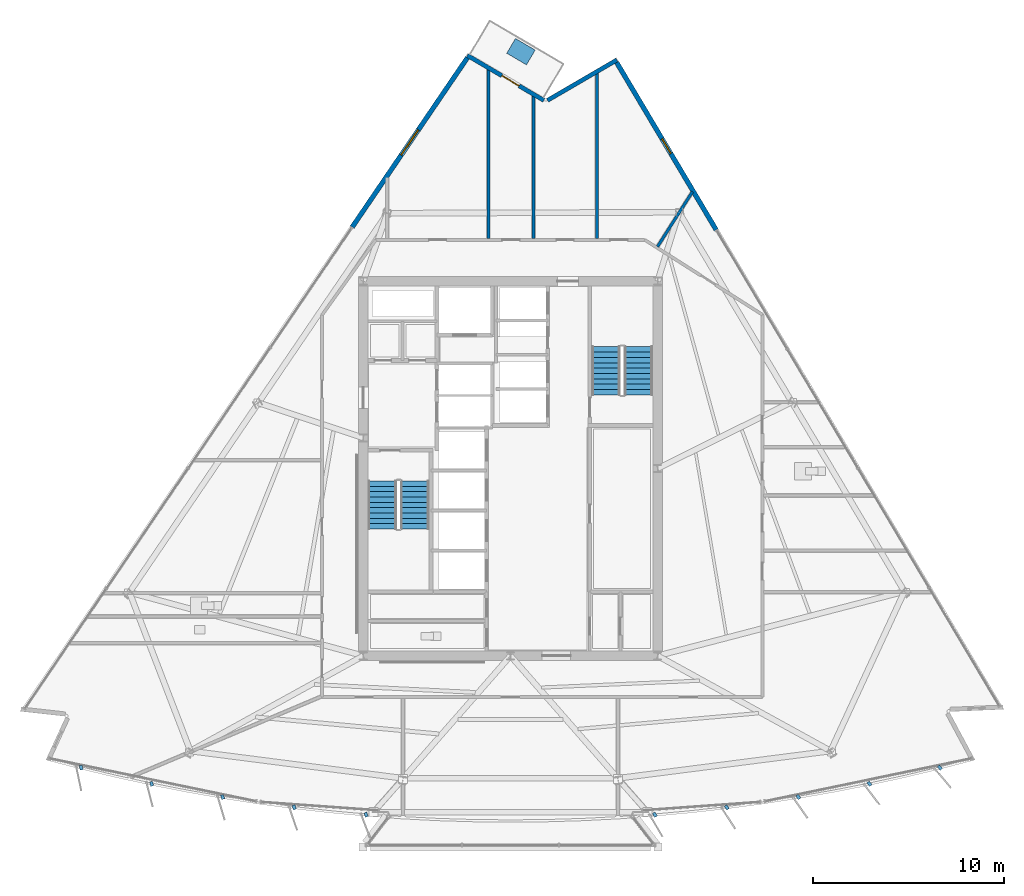
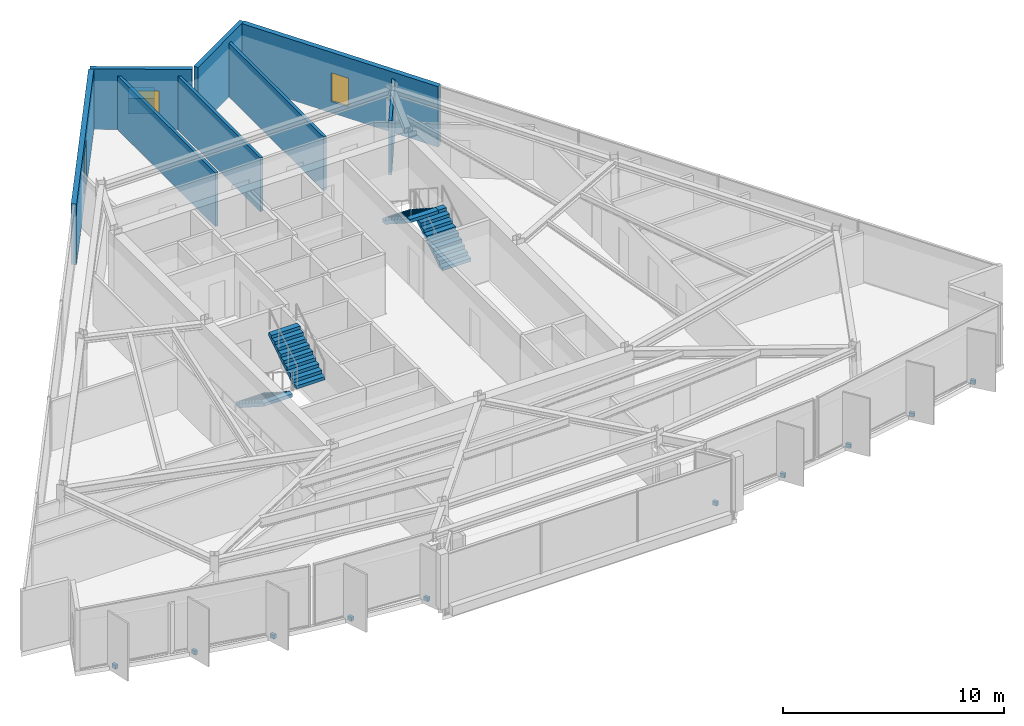
# One storey, part 10 of 14: 11 discrete accessories, 8 walls, 4 stair flights, 2 windows, 1 door, 3 openings, 2 elements without a shape of their own.
"""IFC4 building model written with IfcOpenShell, lengths in metres."""

from ifc_helpers import new_model, si_unit, direction, frame, frame_2d, origin, origin_2d, place, context, subcontext, project, spatial, polyline, rectangle, outline, extrude, material, layer, layer_set, type_object, element, fill, aggregate, save


model = new_model("IFC4")

# Units and contexts
model_context = context("Model", 3, precision=1e-05, world=origin(), true_north=direction((0.0, 1.0)))
body_context = subcontext(model_context, "Body", "Model", "MODEL_VIEW")
ifc_project = project(units=[si_unit("LENGTHUNIT", "METRE"), si_unit("AREAUNIT", "SQUARE_METRE"), si_unit("VOLUMEUNIT", "CUBIC_METRE"), si_unit("PLANEANGLEUNIT", "RADIAN"), si_unit("MASSUNIT", "GRAM", prefix="KILO")], contexts=[model_context])

# Site, building, storey
site_placement = place(None, origin())
site = spatial("IfcSite", under=ifc_project, at=site_placement, CompositionType="ELEMENT")
building_placement = place(site_placement, origin())
building = spatial("IfcBuilding", under=site, at=building_placement, Name="Savorim Split Tower", CompositionType="ELEMENT")
storey_placement = place(building_placement, frame((0.0, 0.0, 205.5)))
storey = spatial("IfcBuildingStorey", under=building, at=storey_placement, Name="L54", CompositionType="ELEMENT", Elevation=205.5)

# Wall
ifc_material_1 = material(Name="Precast concrete C40/50", Category="concrete")
ifc_layer_1 = layer(ifc_material_1, 0.219970703125)
ifc_layer_set_1 = layer_set([ifc_layer_1], Name="WAL-EXT-CRN220")
wall_type_1 = type_object("IfcWallType", Name="WAL-EXT-CRN220", PredefinedType="SOLIDWALL", material=ifc_layer_set_1)
wall_1_placement = place(storey_placement, frame((1.935302734375, 19.656494140625, 0.0), z_axis=(0.0, 0.0, 1.0), x_axis=(0.863987356641, 0.503513502862, 0.0)))
element("IfcWall", 1, at=wall_1_placement, inside=storey, type_object=wall_type_1, Name="L54 Notched Corner Facade Wall NE1", PredefinedType="SOLIDWALL", context=body_context, shape_type="SweptSolid", body=[
    extrude(rectangle(XDim=4.203857421875, YDim=0.219970703125, at=frame_2d((2.10205078125, 0.0))), origin(), (0.0, 0.0, 1.0), 3.35009765625),
])

# Wall, opening, door
wall_2_placement = place(storey_placement, frame((-2.25927734375, 22.01025390625, 0.0), z_axis=(0.0, 0.0, 1.0), x_axis=(0.862123324624, -0.506698503193, 0.0)))
wall_2 = element("IfcWall", 2, at=wall_2_placement, inside=storey, type_object=wall_type_1, Name="L54 Notched Corner Facade Wall N", PredefinedType="SOLIDWALL", context=body_context, shape_type="SweptSolid", body=[
    extrude(rectangle(XDim=4.644775390625, YDim=0.219970703125, at=frame_2d((2.322265625, 0.0))), origin(), (0.0, 0.0, 1.0), 3.35009765625),
])
opening_1_placement = place(wall_2_placement, frame((2.097412109375, 0.0, 0.0)))
opening_1 = element("IfcOpeningElement", 3, at=opening_1_placement, cuts=wall_2, Name="Opening DB-01", PredefinedType="OPENING", context=body_context, shape_type="SweptSolid", body=[
    extrude(rectangle(XDim=1.050048828125, YDim=2.14990234375, at=frame_2d((0.52490234375, 1.074951171875))), frame((0.0, 0.119873046875, 0.0), z_axis=(0.0, -1.0, 0.0), x_axis=(1.0, 0.0, 0.0)), (0.0, 0.0, 1.0), 0.239990234375),
])
ifc_material_2 = material(Name="Charcoal Anodised Aluminium", Category="aluminium")
door_type = type_object("IfcDoorType", Name="DOR-BAL-1050", OperationType="NOTDEFINED", PredefinedType="DOOR", material=ifc_material_2)
door_placement = place(opening_1_placement, origin())
door = element("IfcDoor", 4, at=door_placement, inside=storey, type_object=door_type, Name="DOR-L54-TBAL-N - L54 Planted Tree Balcony Door N", OperationType="SINGLE_SWING_LEFT", OverallHeight=2.14990234375, OverallWidth=1.050048828125, PredefinedType="DOOR", context=body_context, shape_type="SweptSolid", body=[
    extrude(rectangle(XDim=1.050048828125, YDim=2.14990234375, at=frame_2d((0.52490234375, 1.074951171875))), frame((0.0, 0.02490234375, 0.0), z_axis=(0.0, -1.0, 0.0), x_axis=(1.0, 0.0, 0.0)), (0.0, 0.0, 1.0), 0.050048828125),
])
fill(opening_1, door)

# Wall, opening, window
ifc_layer_2 = layer(ifc_material_1, 0.25)
ifc_layer_set_2 = layer_set([ifc_layer_2], Name="WAL-EXT-SPN250")
wall_type_2 = type_object("IfcWallType", Name="WAL-EXT-SPN250", PredefinedType="SOLIDWALL", material=ifc_layer_set_2)
wall_3_placement = place(storey_placement, frame((5.55078125, 21.646728515625, 0.0), z_axis=(0.0, 0.0, 1.0), x_axis=(0.511094988088, -0.859524236512, 0.0)))
wall_3 = element("IfcWall", 5, at=wall_3_placement, inside=storey, type_object=wall_type_2, Name="L54 East Operable Window Pier", PredefinedType="SOLIDWALL", context=body_context, shape_type="SweptSolid", body=[
    extrude(rectangle(XDim=10.199951171875, YDim=0.25, at=frame_2d((5.10009765625, 0.0))), origin(), (0.0, 0.0, 1.0), 3.35009765625),
])
opening_2_placement = place(wall_3_placement, frame((4.64990234375, 0.0, 0.6201171875)))
opening_2 = element("IfcOpeningElement", 6, at=opening_2_placement, cuts=wall_3, Name="Opening WN-10", PredefinedType="OPENING", context=body_context, shape_type="SweptSolid", body=[
    extrude(rectangle(XDim=0.89990234375, YDim=1.60009765625, at=frame_2d((0.449951171875, 0.800048828125))), frame((0.0, 0.135009765625, 0.0), z_axis=(0.0, -1.0, 0.0), x_axis=(1.0, 0.0, 0.0)), (0.0, 0.0, 1.0), 0.27001953125),
])
ifc_material_3 = material(Name="Low-E Operable Double Glazing", Category="glass")
window_type_1 = type_object("IfcWindowType", Name="WIN-TWR-900x1600", PartitioningType="SINGLE_PANEL", PredefinedType="WINDOW", material=ifc_material_3)
window_1_placement = place(opening_2_placement, origin())
window_1 = element("IfcWindow", 7, at=window_1_placement, inside=storey, type_object=window_type_1, Name="L54 East Operable Ventilation Window", OverallHeight=1.60009765625, OverallWidth=0.89990234375, PartitioningType="SINGLE_PANEL", PredefinedType="WINDOW", context=body_context, shape_type="SweptSolid", body=[
    extrude(rectangle(XDim=0.89990234375, YDim=1.60009765625, at=frame_2d((0.449951171875, 0.800048828125))), frame((0.0, 0.030029296875, 0.0), z_axis=(0.0, -1.0, 0.0), x_axis=(1.0, 0.0, 0.0)), (0.0, 0.0, 1.0), 0.06005859375),
])
fill(opening_2, window_1)

wall_4_placement = place(storey_placement, frame((-8.28369140625, 13.02587890625, 0.0), z_axis=(0.0, 0.0, 1.0), x_axis=(0.562468945091, 0.826818411629, 0.0)))
wall_4 = element("IfcWall", 8, at=wall_4_placement, inside=storey, type_object=wall_type_2, Name="L54 West Operable Window Pier", PredefinedType="SOLIDWALL", context=body_context, shape_type="SweptSolid", body=[
    extrude(rectangle(XDim=10.714111328125, YDim=0.25, at=frame_2d((5.35693359375, 0.0))), origin(), (0.0, 0.0, 1.0), 3.35009765625),
])
opening_3_placement = place(wall_4_placement, frame((4.55712890625, 0.0, 0.6201171875)))
opening_3 = element("IfcOpeningElement", 9, at=opening_3_placement, cuts=wall_4, Name="Opening WN-05", PredefinedType="OPENING", context=body_context, shape_type="SweptSolid", body=[
    extrude(rectangle(XDim=1.60009765625, YDim=2.10009765625, at=frame_2d((0.800048828125, 1.050048828125))), frame((0.0, 0.135009765625, 0.0), z_axis=(0.0, -1.0, 0.0), x_axis=(1.0, 0.0, 0.0)), (0.0, 0.0, 1.0), 0.27001953125),
])
window_type_2 = type_object("IfcWindowType", Name="WIN-TWR-1600x2100", PartitioningType="DOUBLE_PANEL_VERTICAL", PredefinedType="WINDOW", material=ifc_material_3)
window_2_placement = place(opening_3_placement, origin())
window_2 = element("IfcWindow", 10, at=window_2_placement, inside=storey, type_object=window_type_2, Name="L54 West Operable Ventilation Window", OverallHeight=2.10009765625, OverallWidth=1.60009765625, PartitioningType="SINGLE_PANEL", PredefinedType="WINDOW", context=body_context, shape_type="SweptSolid", body=[
    extrude(rectangle(XDim=1.60009765625, YDim=2.10009765625, at=frame_2d((0.800048828125, 1.050048828125))), frame((0.0, 0.030029296875, 0.0), z_axis=(0.0, -1.0, 0.0), x_axis=(1.0, 0.0, 0.0)), (0.0, 0.0, 1.0), 0.06005859375),
])
fill(opening_3, window_2)

# Walls
ifc_material_4 = material(Name="Acoustic Gypsum Partition Board")
ifc_layer_3 = layer(ifc_material_4, 0.14990234375)
ifc_layer_set_3 = layer_set([ifc_layer_3], Name="WAL-PAR-150")
wall_type_3 = type_object("IfcWallType", Name="WAL-PAR-150", PredefinedType="PARTITIONING", material=ifc_layer_set_3)
wall_5_placement = place(storey_placement, frame((7.69140625, 12.006103515625, 0.0), z_axis=(0.0, 0.0, 1.0), x_axis=(0.536675875283, 0.843788483501, 0.0)))
element("IfcWall", 11, at=wall_5_placement, inside=storey, type_object=wall_type_3, Name="L54 Partition W-L54-PRAD07", PredefinedType="PARTITIONING", context=body_context, shape_type="SweptSolid", body=[
    extrude(rectangle(XDim=3.4033203125, YDim=0.14990234375, at=frame_2d((1.70166015625, 0.0))), origin(), (0.0, 0.0, 1.0), 2.97509765625),
])
wall_6_placement = place(storey_placement, frame((1.200439453125, 12.419921875, 0.0), z_axis=(0.0, 0.0, 1.0), x_axis=(0.0, 1.0, 0.0)))
element("IfcWall", 12, at=wall_6_placement, inside=storey, type_object=wall_type_3, Name="L54 Partition W-L54-SUB03", PredefinedType="PARTITIONING", context=body_context, shape_type="SweptSolid", body=[
    extrude(rectangle(XDim=7.4990234375, YDim=0.14990234375, at=frame_2d((3.74951171875, 0.0))), origin(), (0.0, 0.0, 1.0), 2.97509765625),
])
wall_7_placement = place(storey_placement, frame((4.51611328125, 12.419921875, 0.0), z_axis=(0.0, 0.0, 1.0), x_axis=(0.0, 1.0, 0.0)))
element("IfcWall", 13, at=wall_7_placement, inside=storey, type_object=wall_type_3, Name="L54 Partition W-L54-SUB07", PredefinedType="PARTITIONING", context=body_context, shape_type="SweptSolid", body=[
    extrude(rectangle(XDim=8.682861328125, YDim=0.14990234375, at=frame_2d((4.34130859375, 0.0))), origin(), (0.0, 0.0, 1.0), 2.97509765625),
])
wall_8_placement = place(storey_placement, frame((-1.154296875, 12.419921875, 0.0), z_axis=(0.0, 0.0, 1.0), x_axis=(0.0, 1.0, 0.0)))
element("IfcWall", 14, at=wall_8_placement, inside=storey, type_object=wall_type_3, Name="L54 Partition W-L54-SUB08", PredefinedType="PARTITIONING", context=body_context, shape_type="SweptSolid", body=[
    extrude(rectangle(XDim=8.883056640625, YDim=0.14990234375, at=frame_2d((4.44140625, 0.0))), origin(), (0.0, 0.0, 1.0), 2.97509765625),
])

# Stair, stair flights
ifc_material_5 = material(Name="Concrete C50/60", Category="concrete")
stair_type = type_object("IfcStairType", Name="STR-DOG-3600", PredefinedType="HALF_TURN_STAIR", material=ifc_material_5)
stair_1_placement = place(storey_placement, origin())
stair_1 = element("IfcStair", 15, at=stair_1_placement, inside=storey, type_object=stair_type, Name="L54 Core Protected Exit Stair ST-1", PredefinedType="HALF_TURN_STAIR")
stair_flight_type = type_object("IfcStairFlightType", Name="SFL-DOG-3600", PredefinedType="STRAIGHT", material=ifc_material_5)
stair_flight_1_placement = place(storey_placement, frame((-6.699951171875, -0.25, 0.0), z_axis=(0.0, 0.0, 1.0), x_axis=(0.0, -1.0, 0.0)))
stair_flight_1 = element("IfcStairFlight", 16, at=stair_flight_1_placement, type_object=stair_flight_type, Name="ST-1 flight 1", NumberOfRisers=10, NumberOfTreads=9, PredefinedType="STRAIGHT", RiserHeight=0.18, TreadLength=0.28, context=body_context, shape_type="SweptSolid", body=[
    extrude(outline(polyline([(0.0, 0.0), (0.0, 0.179931640625), (0.280029296875, 0.179931640625), (0.280029296875, 0.360107421875), (0.56005859375, 0.360107421875), (0.56005859375, 0.5400390625), (0.840087890625, 0.5400390625), (0.840087890625, 0.719970703125), (1.1201171875, 0.719970703125), (1.1201171875, 0.89990234375), (1.39990234375, 0.89990234375), (1.39990234375, 1.080078125), (1.679931640625, 1.080078125), (1.679931640625, 1.260009765625), (1.9599609375, 1.260009765625), (1.9599609375, 1.43994140625), (2.239990234375, 1.43994140625), (2.239990234375, 1.6201171875), (2.52001953125, 1.6201171875), (2.52001953125, 1.800048828125), (2.52001953125, 1.44189453125), (0.277099609375, 0.0), (0.0, 0.0)])), frame((0.0, 0.75, 0.0), z_axis=(0.0, -1.0, 0.0), x_axis=(1.0, 0.0, 0.0)), (0.0, 0.0, 1.0), 1.5),
])
stair_flight_2_placement = place(storey_placement, frame((-5.0, -2.77001953125, 1.800048828125), z_axis=(0.0, 0.0, 1.0), x_axis=(0.0, 1.0, 0.0)))
stair_flight_2 = element("IfcStairFlight", 17, at=stair_flight_2_placement, type_object=stair_flight_type, Name="ST-1 flight 2", NumberOfRisers=10, NumberOfTreads=9, PredefinedType="STRAIGHT", RiserHeight=0.18, TreadLength=0.28, context=body_context, shape_type="SweptSolid", body=[
    extrude(outline(polyline([(0.0, 0.0), (0.0, 0.179931640625), (0.280029296875, 0.179931640625), (0.280029296875, 0.360107421875), (0.56005859375, 0.360107421875), (0.56005859375, 0.5400390625), (0.840087890625, 0.5400390625), (0.840087890625, 0.719970703125), (1.1201171875, 0.719970703125), (1.1201171875, 0.89990234375), (1.39990234375, 0.89990234375), (1.39990234375, 1.080078125), (1.679931640625, 1.080078125), (1.679931640625, 1.260009765625), (1.9599609375, 1.260009765625), (1.9599609375, 1.43994140625), (2.239990234375, 1.43994140625), (2.239990234375, 1.6201171875), (2.52001953125, 1.6201171875), (2.52001953125, 1.800048828125), (2.52001953125, 1.44189453125), (0.277099609375, 0.0), (0.0, 0.0)])), frame((0.0, 0.75, 0.0), z_axis=(0.0, -1.0, 0.0), x_axis=(1.0, 0.0, 0.0)), (0.0, 0.0, 1.0), 1.5),
])
aggregate(stair_1, [stair_flight_1, stair_flight_2])

stair_2_placement = place(storey_placement, origin())
stair_2 = element("IfcStair", 18, at=stair_2_placement, inside=storey, type_object=stair_type, Name="L54 Core Protected Exit Stair ST-2", PredefinedType="HALF_TURN_STAIR")
stair_flight_3_placement = place(storey_placement, frame((6.699951171875, 4.25, 0.0), z_axis=(0.0, 0.0, 1.0), x_axis=(0.0, 1.0, 0.0)))
stair_flight_3 = element("IfcStairFlight", 19, at=stair_flight_3_placement, type_object=stair_flight_type, Name="ST-2 flight 1", NumberOfRisers=10, NumberOfTreads=9, PredefinedType="STRAIGHT", RiserHeight=0.18, TreadLength=0.28, context=body_context, shape_type="SweptSolid", body=[
    extrude(outline(polyline([(0.0, 0.0), (0.0, 0.179931640625), (0.280029296875, 0.179931640625), (0.280029296875, 0.360107421875), (0.56005859375, 0.360107421875), (0.56005859375, 0.5400390625), (0.840087890625, 0.5400390625), (0.840087890625, 0.719970703125), (1.1201171875, 0.719970703125), (1.1201171875, 0.89990234375), (1.39990234375, 0.89990234375), (1.39990234375, 1.080078125), (1.679931640625, 1.080078125), (1.679931640625, 1.260009765625), (1.9599609375, 1.260009765625), (1.9599609375, 1.43994140625), (2.239990234375, 1.43994140625), (2.239990234375, 1.6201171875), (2.52001953125, 1.6201171875), (2.52001953125, 1.800048828125), (2.52001953125, 1.44189453125), (0.277099609375, 0.0), (0.0, 0.0)])), frame((0.0, 0.75, 0.0), z_axis=(0.0, -1.0, 0.0), x_axis=(1.0, 0.0, 0.0)), (0.0, 0.0, 1.0), 1.5),
])
stair_flight_4_placement = place(storey_placement, frame((5.0, 6.77001953125, 1.800048828125), z_axis=(0.0, 0.0, 1.0), x_axis=(0.0, -1.0, 0.0)))
stair_flight_4 = element("IfcStairFlight", 20, at=stair_flight_4_placement, type_object=stair_flight_type, Name="ST-2 flight 2", NumberOfRisers=10, NumberOfTreads=9, PredefinedType="STRAIGHT", RiserHeight=0.18, TreadLength=0.28, context=body_context, shape_type="SweptSolid", body=[
    extrude(outline(polyline([(0.0, 0.0), (0.0, 0.179931640625), (0.280029296875, 0.179931640625), (0.280029296875, 0.360107421875), (0.56005859375, 0.360107421875), (0.56005859375, 0.5400390625), (0.840087890625, 0.5400390625), (0.840087890625, 0.719970703125), (1.1201171875, 0.719970703125), (1.1201171875, 0.89990234375), (1.39990234375, 0.89990234375), (1.39990234375, 1.080078125), (1.679931640625, 1.080078125), (1.679931640625, 1.260009765625), (1.9599609375, 1.260009765625), (1.9599609375, 1.43994140625), (2.239990234375, 1.43994140625), (2.239990234375, 1.6201171875), (2.52001953125, 1.6201171875), (2.52001953125, 1.800048828125), (2.52001953125, 1.44189453125), (0.277099609375, 0.0), (0.0, 0.0)])), frame((0.0, 0.75, 0.0), z_axis=(0.0, -1.0, 0.0), x_axis=(1.0, 0.0, 0.0)), (0.0, 0.0, 1.0), 1.5),
])
aggregate(stair_2, [stair_flight_3, stair_flight_4])

# Discrete accessories
ifc_material_6 = material(Name="Steel S355", Category="steel")
discrete_accessory_type_1 = type_object("IfcDiscreteAccessoryType", Name="ACC-BRK-FIN", PredefinedType="BRACKET", material=ifc_material_6)
for number, where, z_axis, x_axis, name in (
    (21, (-22.460205078125, -15.250732421875, -0.18994140625), (0.0, 0.0, 1.0), (0.206721626106, -0.978399800337, 0.0), "L54 Fin Slab-Edge Cleat Bracket 01"),
    (22, (-18.774658203125, -16.0947265625, -0.18994140625), (0.0, 0.0, 1.0), (0.246581250663, -0.969122121727, 0.0), "L54 Fin Slab-Edge Cleat Bracket 02"),
    (23, (-15.0576171875, -16.787109375, -0.18994140625), (0.0, 0.0, 1.0), (0.286026212504, -0.958221793616, 0.0), "L54 Fin Slab-Edge Cleat Bracket 03"),
    (24, (-11.315185546875, -17.326904296875, -0.18994140625), (0.0, 0.0, 1.0), (0.324993810493, -0.945716143005, 0.0), "L54 Fin Slab-Edge Cleat Bracket 04"),
    (25, (-7.55419921875, -17.713134765625, -0.18994140625), (0.0, 0.0, 1.0), (0.363415461732, -0.931627179817, 0.0), "L54 Fin Slab-Edge Cleat Bracket 05"),
    (26, (7.55419921875, -17.713134765625, -0.18994140625), (0.0, 0.0, 1.0), (0.510391336723, -0.859942255851, 0.0), "L54 Fin Slab-Edge Cleat Bracket 09"),
    (27, (11.315185546875, -17.326904296875, -0.18994140625), (0.0, 0.0, 1.0), (0.545148321708, -0.838339613366, 0.0), "L54 Fin Slab-Edge Cleat Bracket 10"),
    (28, (15.0576171875, -16.787109375, -0.18994140625), (0.0, 0.0, 1.0), (0.578993757737, -0.815331974414, 0.0), "L54 Fin Slab-Edge Cleat Bracket 11"),
    (29, (18.774658203125, -16.0947265625, -0.18994140625), (0.0, 0.0, 1.0), (0.611868076908, -0.790959832394, 0.0), "L54 Fin Slab-Edge Cleat Bracket 12"),
    (30, (22.460205078125, -15.250732421875, -0.18994140625), (0.0, 0.0, 1.0), (0.643719022682, -0.765261928909, 0.0), "L54 Fin Slab-Edge Cleat Bracket 13"),
):
    element("IfcDiscreteAccessory", number, at=place(storey_placement, frame(where, z_axis=z_axis, x_axis=x_axis)), inside=storey, type_object=discrete_accessory_type_1, Name=name, PredefinedType="BRACKET", context=body_context, shape_type="SweptSolid", body=[
        extrude(rectangle(XDim=0.239990234375, YDim=0.159912109375, at=origin_2d()), origin(), (0.0, 0.0, 1.0), 0.219970703125),
    ])
ifc_material_7 = material(Name="Architectural Precast Planter Concrete C40/50", Category="concrete")
discrete_accessory_type_2 = type_object("IfcDiscreteAccessoryType", Name="ACC-PLN-TREE", PredefinedType="USERDEFINED", material=ifc_material_7)
discrete_accessory_placement = place(storey_placement, frame((0.548583984375, 22.204345703125, 0.0), z_axis=(0.0, 0.0, 1.0), x_axis=(-0.862124808883, 0.50669597779, 0.0)))
element("IfcDiscreteAccessory", 31, at=discrete_accessory_placement, inside=storey, type_object=discrete_accessory_type_2, Name="L54 Balcony Precast Tree Planter N", ObjectType="PLANTER", PredefinedType="USERDEFINED", context=body_context, shape_type="SweptSolid", body=[
    extrude(rectangle(XDim=1.199951171875, YDim=0.89990234375, at=origin_2d()), origin(), (0.0, 0.0, 1.0), 0.85009765625),
])

save(model, "model.ifc")
